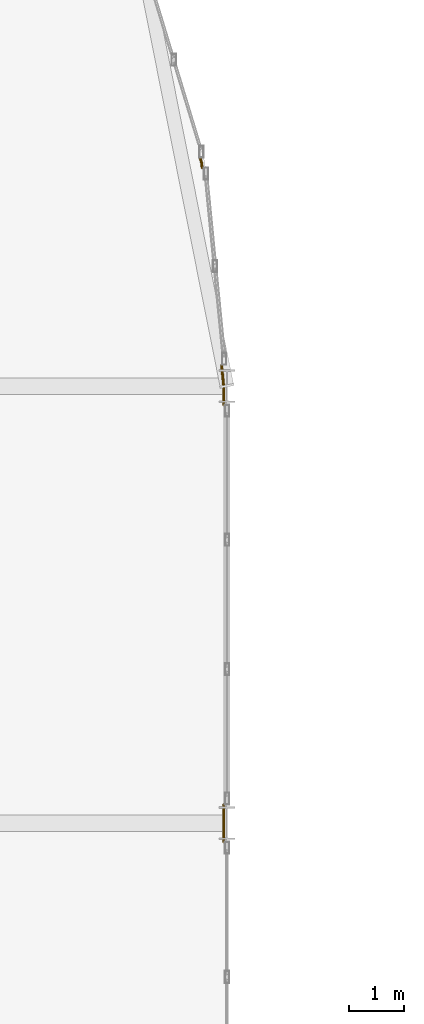
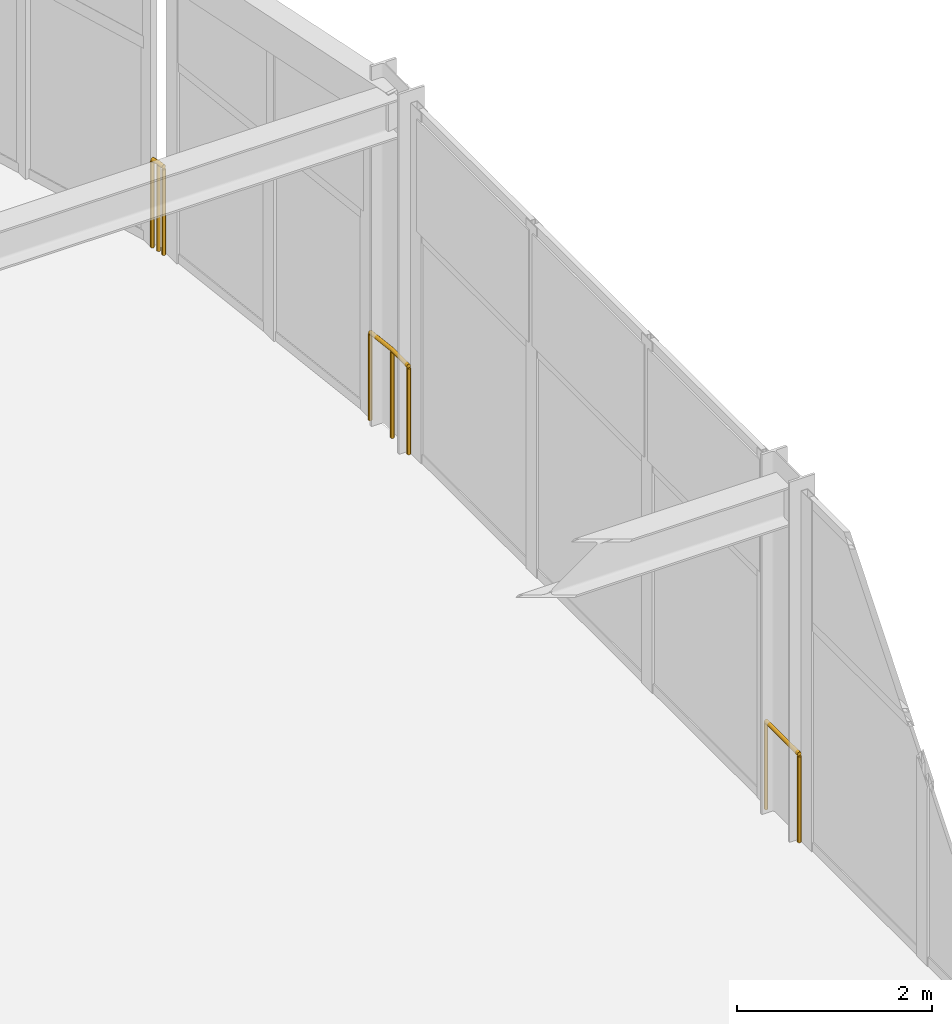
# One storey, part 103 of 105: 3 railings.
"""IFC4 building model written with IfcOpenShell, lengths in metres."""

import ifcopenshell
import ifcopenshell.guid

model = None  # the IFC model being written
_history = None  # IfcOwnerHistory: only IFC2X3 demands one
_inside = {}  # id of a spatial element -> (the spatial element, [elements in it])
_under = {}  # id of a project, library or spatial element -> (it, [spatial elements below it])
_declared = {}  # id of a project -> (the project, [libraries it declares])
_typed = {}  # id of a type object -> (the type object, [elements of that type])
_made_of = {}  # id of a material, layer set ... -> (it, [elements and type objects made of it])


def new_model(schema):
    """Start an empty IFC model of exactly this schema.

    Asked for "IFC4X3", IfcOpenShell would pick the latest addendum, in which some entities
    have other attributes; the version numbers below select the first issue.
    IFC2X3 requires an IfcOwnerHistory on every rooted entity: one is made here for all.
    """
    global model, _history
    if schema == "IFC4X3":
        model = ifcopenshell.file(schema_version=(4, 3, 0, 0))
    else:
        model = ifcopenshell.file(schema=schema)
    _inside.clear()
    _under.clear()
    _declared.clear()
    _typed.clear()
    _made_of.clear()
    _history = None
    if model.schema == "IFC2X3":
        org = make("IfcOrganization", Name="unknown")
        user = make(
            "IfcPersonAndOrganization",
            ThePerson=make("IfcPerson", FamilyName="unknown"),
            TheOrganization=org,
        )
        app = make(
            "IfcApplication",
            ApplicationDeveloper=org,
            Version="unknown",
            ApplicationFullName="unknown",
            ApplicationIdentifier="unknown",
        )
        _history = make(
            "IfcOwnerHistory",
            OwningUser=user,
            OwningApplication=app,
            ChangeAction="ADDED",
            CreationDate=0,
        )
    return model


def make(cls, **values):
    """One entity of the class cls with the attributes given. An attribute that is None is left unset."""
    return model.create_entity(
        cls, **{name: value for name, value in values.items() if value is not None}
    )


def rooted(cls, **values):
    """An entity with a GlobalId (a new one), such as an element, a storey or a relation."""
    return make(cls, GlobalId=ifcopenshell.guid.new(), OwnerHistory=_history, **values)


def si_unit(unit_type, name, prefix=None):
    """IfcSIUnit, for example si_unit("LENGTHUNIT", "METRE", prefix="MILLI")."""
    return make("IfcSIUnit", UnitType=unit_type, Prefix=prefix, Name=name)


def assignment(units):
    """IfcUnitAssignment: the units of a project."""
    return None if units is None else make("IfcUnitAssignment", Units=units)


def point(xyz):
    """IfcCartesianPoint."""
    return None if xyz is None else make("IfcCartesianPoint", Coordinates=xyz)


def direction(xyz):
    """IfcDirection."""
    return None if xyz is None else make("IfcDirection", DirectionRatios=xyz)


def frame(location, z_axis=None, x_axis=None):
    """IfcAxis2Placement3D, a coordinate frame: its origin and axes. An axis left out is left unset."""
    return make(
        "IfcAxis2Placement3D",
        Location=point(location),
        Axis=direction(z_axis),
        RefDirection=direction(x_axis),
    )


def frame_2d(location, x_axis=None):
    """IfcAxis2Placement2D, a coordinate frame in the plane: its origin and x axis."""
    return make(
        "IfcAxis2Placement2D", Location=point(location), RefDirection=direction(x_axis)
    )


def origin():
    """The frame at (0, 0, 0) with its axes left unset."""
    return frame((0.0, 0.0, 0.0))


def origin_2d():
    """The frame at (0, 0) in the plane with its x axis left unset."""
    return frame_2d((0.0, 0.0))


def place(relative_to, where):
    """IfcLocalPlacement: puts the frame where relative to a parent placement (None: the world)."""
    return make(
        "IfcLocalPlacement", PlacementRelTo=relative_to, RelativePlacement=where
    )


def context(
    kind, dimensions, precision=None, world=None, true_north=None, identifier=None
):
    """IfcGeometricRepresentationContext, for example the 3D "Model" context."""
    return make(
        "IfcGeometricRepresentationContext",
        ContextIdentifier=identifier,
        ContextType=kind,
        CoordinateSpaceDimension=dimensions,
        Precision=precision,
        WorldCoordinateSystem=world,
        TrueNorth=true_north,
    )


def subcontext(parent, identifier, kind, view, scale=None):
    """IfcGeometricRepresentationSubContext, for example "Body" below "Model"."""
    return make(
        "IfcGeometricRepresentationSubContext",
        ContextIdentifier=identifier,
        ContextType=kind,
        ParentContext=parent,
        TargetScale=scale,
        TargetView=view,
    )


def project(units=None, contexts=None):
    """IfcProject with its units and contexts."""
    return rooted(
        "IfcProject",
        Name="project",
        RepresentationContexts=contexts,
        UnitsInContext=assignment(units),
    )


def spatial(cls, under=None, at=None, **own):
    """A site, building, storey or space (cls), placed at a placement, below another one or the project."""
    s = rooted(cls, ObjectPlacement=at, **own)
    if under is not None:
        _under.setdefault(under.id(), (under, []))[1].append(s)
    return s


def profile(cls, at=None, kind="AREA", **sizes):
    """A parametric profile (cls). Its sizes go by their IFC names, for example OverallWidth=200.0."""
    return make(cls, ProfileType=kind, Position=at, **sizes)


def circle(**sizes):
    """IfcCircleProfileDef."""
    return profile("IfcCircleProfileDef", **sizes)


def extrude(swept, where, along, depth):
    """IfcExtrudedAreaSolid: the profile swept, set in the frame where, extruded along a direction by depth."""
    return make(
        "IfcExtrudedAreaSolid",
        SweptArea=swept,
        Position=where,
        ExtrudedDirection=direction(along),
        Depth=depth,
    )


def shape(context_of_items, identifier, shape_type, items):
    """IfcShapeRepresentation: the items that make up one representation, for example the "Body"."""
    return make(
        "IfcShapeRepresentation",
        ContextOfItems=context_of_items,
        RepresentationIdentifier=identifier,
        RepresentationType=shape_type,
        Items=items,
    )


def material(Name=None, Category=None):
    """IfcMaterial."""
    return make("IfcMaterial", Name=Name, Category=Category)


def made_of(thing, what):
    """Note that an element or type object is made of a material, layer set ...; save() writes the relation."""
    if what is not None:
        _made_of.setdefault(what.id(), (what, []))[1].append(thing)
    return thing


def type_object(cls, material=None, **own):
    """A type object (cls), such as IfcWallType, which elements share."""
    return made_of(rooted(cls, **own), material)


def element(
    cls,
    number,
    at=None,
    inside=None,
    cuts=None,
    type_object=None,
    material=None,
    context=None,
    identifier="Body",
    shape_type=None,
    held_by="IfcProductDefinitionShape",
    body=None,
    shapes=None,
    **own,
):
    """One element of the class cls, such as IfcWall. Its Tag is "e" and its number.

    at: its placement. inside: the storey or other place that contains it. cuts: it is an
    opening in that element (IfcRelVoidsElement). A single representation is given by context,
    identifier, shape_type and body (its items); several are given by shapes. held_by: the class
    of the entity that holds the representations. save() writes the other relations.
    """
    e = rooted(cls, Tag="e%d" % number, ObjectPlacement=at, **own)
    if body is not None:
        shapes = [shape(context, identifier, shape_type, body)]
    if shapes is not None:
        e.Representation = make(held_by, Representations=shapes)
    if inside is not None:
        _inside.setdefault(inside.id(), (inside, []))[1].append(e)
    if cuts is not None:
        rooted(
            "IfcRelVoidsElement", RelatingBuildingElement=cuts, RelatedOpeningElement=e
        )
    if type_object is not None:
        _typed.setdefault(type_object.id(), (type_object, []))[1].append(e)
    return made_of(e, material)


def aggregate(whole, parts):
    """IfcRelAggregates: a whole, such as a stair, and the parts it consists of."""
    return rooted("IfcRelAggregates", RelatingObject=whole, RelatedObjects=parts)


def save(model, path):
    """Write the relations noted so far, then the file.

    IfcRelAggregates (storeys below a building ...), IfcRelContainedInSpatialStructure (elements
    in a storey), IfcRelDefinesByType, IfcRelAssociatesMaterial and IfcRelDeclares: one each for
    every whole, place, type object, material and project.
    """
    for whole, parts in _under.values():
        aggregate(whole, parts)
    for where, things in _inside.values():
        rooted(
            "IfcRelContainedInSpatialStructure",
            RelatedElements=things,
            RelatingStructure=where,
        )
    for kind, things in _typed.values():
        rooted("IfcRelDefinesByType", RelatedObjects=things, RelatingType=kind)
    for what, things in _made_of.values():
        rooted("IfcRelAssociatesMaterial", RelatedObjects=things, RelatingMaterial=what)
    for by, libraries in _declared.values():
        rooted("IfcRelDeclares", RelatingContext=by, RelatedDefinitions=libraries)
    model.write(path)


model = new_model("IFC4")

# Units and contexts
model_context = context("Model", 3, precision=1e-05, world=origin(), true_north=direction((0.0, 1.0)))
body_context = subcontext(model_context, "Body", "Model", "MODEL_VIEW")
ifc_project = project(units=[si_unit("LENGTHUNIT", "METRE"), si_unit("AREAUNIT", "SQUARE_METRE"), si_unit("VOLUMEUNIT", "CUBIC_METRE"), si_unit("PLANEANGLEUNIT", "RADIAN"), si_unit("MASSUNIT", "GRAM", prefix="KILO")], contexts=[model_context])

# Site, building, storey
site_placement = place(None, origin())
site = spatial("IfcSite", under=ifc_project, at=site_placement, CompositionType="ELEMENT")
building_placement = place(site_placement, origin())
building = spatial("IfcBuilding", under=site, at=building_placement, Name="Marlcrest Central Station", CompositionType="ELEMENT")
storey_placement = place(building_placement, frame((0.0, 0.0, 15.0)))
storey = spatial("IfcBuildingStorey", under=building, at=storey_placement, Name="L03", CompositionType="ELEMENT", Elevation=15.0)

# Railings
ifc_material = material(Name="Stainless steel and laminated glass concourse balustrade", Category="steel")
railing_type = type_object("IfcRailingType", Name="GR-02", PredefinedType="BALUSTRADE", material=ifc_material)
railing_1_placement = place(storey_placement, frame((128.510986328125, 114.6708984375, 0.0)))
element("IfcRailing", 1, at=railing_1_placement, inside=storey, type_object=railing_type, Name="hr-L03-00467", PredefinedType="BALUSTRADE", context=body_context, shape_type="SweptSolid", body=[
    extrude(circle(Radius=0.02392578125, at=origin_2d()), frame((0.0, 0.0, 1.09619140625), z_axis=(0.290837119501, -0.956772580042, 0.0), x_axis=(0.956772580042, 0.290837119501, 0.0)), (0.0, 0.0, 1.0), 0.08984375),
    extrude(circle(Radius=0.02392578125, at=origin_2d()), frame((0.026123046875, -0.0859375, 1.09619140625), z_axis=(0.0984209217, -0.995144874966, 0.0), x_axis=(0.995144874966, 0.0984209217, 0.0)), (0.0, 0.0, 1.0), 0.08935546875),
    extrude(circle(Radius=0.02099609375, at=origin_2d()), origin(), (0.0, 0.0, 1.0), 1.072021484375),
    extrude(circle(Radius=0.02099609375, at=origin_2d()), frame((0.026123046875, -0.0859375, 0.0)), (0.0, 0.0, 1.0), 1.072021484375),
    extrude(circle(Radius=0.02099609375, at=origin_2d()), frame((0.034912109375, -0.1748046875, 0.0)), (0.0, 0.0, 1.0), 1.072021484375),
])
railing_2_placement = place(storey_placement, frame((128.902099609375, 110.883056640625, 0.0)))
element("IfcRailing", 2, at=railing_2_placement, inside=storey, type_object=railing_type, Name="hr-L03-00468", PredefinedType="BALUSTRADE", context=body_context, shape_type="SweptSolid", body=[
    extrude(circle(Radius=0.02392578125, at=origin_2d()), frame((0.0, 0.0, 1.09619140625), z_axis=(0.097571424031, -0.99522852512, 0.0), x_axis=(0.99522852512, 0.097571424031, 0.0)), (0.0, 0.0, 1.0), 0.387939453125),
    extrude(circle(Radius=0.02392578125, at=origin_2d()), frame((0.037841796875, -0.385986328125, 1.09619140625), z_axis=(0.0, -1.0, 0.0), x_axis=(1.0, 0.0, 0.0)), (0.0, 0.0, 1.0), 0.337158203125),
    extrude(circle(Radius=0.02099609375, at=origin_2d()), origin(), (0.0, 0.0, 1.0), 1.072021484375),
    extrude(circle(Radius=0.02099609375, at=origin_2d()), frame((0.037841796875, -0.385986328125, 0.0)), (0.0, 0.0, 1.0), 1.072021484375),
    extrude(circle(Radius=0.02099609375, at=origin_2d()), frame((0.037841796875, -0.72314453125, 0.0)), (0.0, 0.0, 1.0), 1.072021484375),
])
railing_3_placement = place(storey_placement, frame((128.93994140625, 102.840087890625, 0.0)))
element("IfcRailing", 3, at=railing_3_placement, inside=storey, type_object=railing_type, Name="hr-L03-00469", PredefinedType="BALUSTRADE", context=body_context, shape_type="SweptSolid", body=[
    extrude(circle(Radius=0.02392578125, at=origin_2d()), frame((0.0, 0.0, 1.09619140625), z_axis=(0.0, -1.0, 0.0), x_axis=(1.0, 0.0, 0.0)), (0.0, 0.0, 1.0), 0.68017578125),
    extrude(circle(Radius=0.02099609375, at=origin_2d()), origin(), (0.0, 0.0, 1.0), 1.072021484375),
    extrude(circle(Radius=0.02099609375, at=origin_2d()), frame((0.0, -0.68017578125, 0.0)), (0.0, 0.0, 1.0), 1.072021484375),
])

save(model, "model.ifc")
